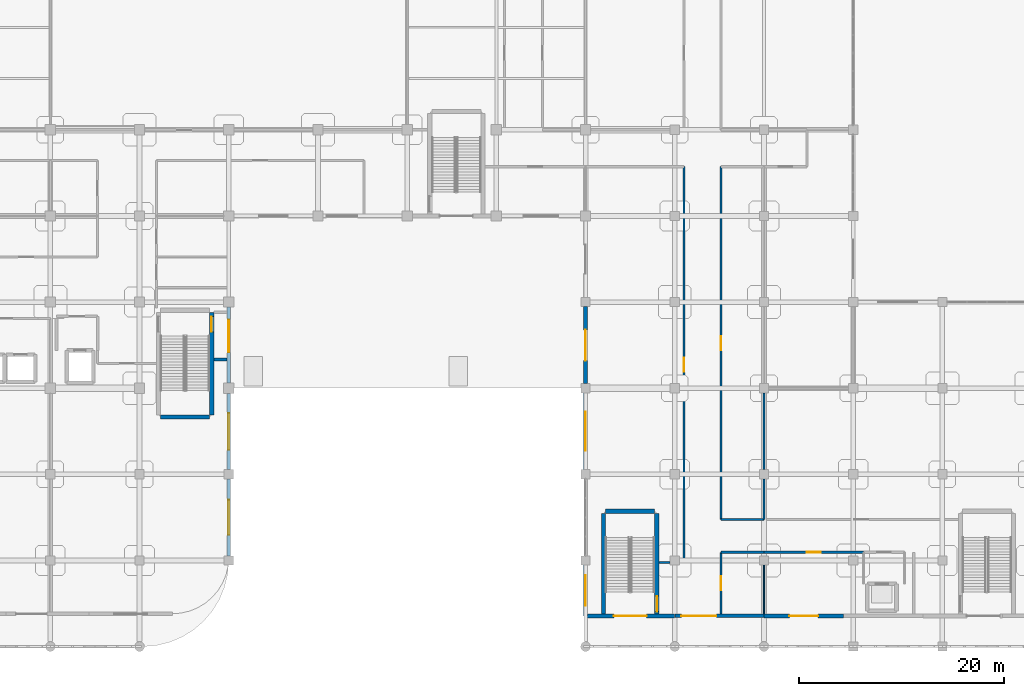
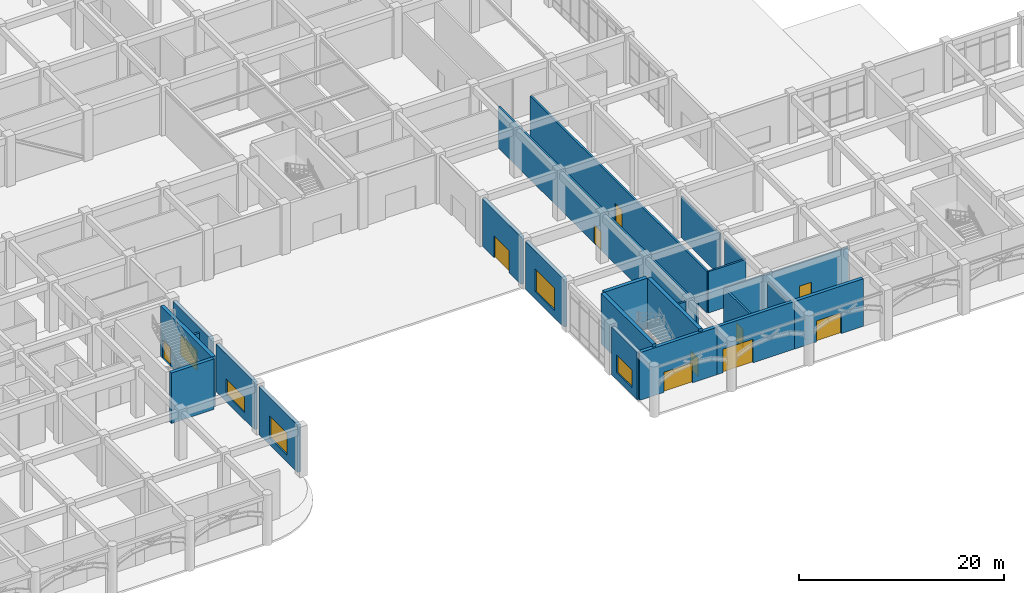
# One storey, part 63 of 82: 25 walls, 11 doors, 4 windows, 15 openings.
"""IFC4 building model written with IfcOpenShell, lengths in metres."""

from ifc_helpers import new_model, si_unit, derived_unit, direction, frame, frame_2d, origin, place, context, subcontext, project, spatial, rectangle, extrude, material, layer, layer_set, type_object, element, fill, save


model = new_model("IFC4")

# Units and contexts
model_context = context("Model", 3, precision=1e-05, world=origin(), true_north=direction((0.0, 1.0)))
body_context = subcontext(model_context, "Body", "Model", "MODEL_VIEW")
ifc_project = project(units=[si_unit("LENGTHUNIT", "METRE"), si_unit("AREAUNIT", "SQUARE_METRE"), si_unit("VOLUMEUNIT", "CUBIC_METRE"), si_unit("PLANEANGLEUNIT", "RADIAN"), si_unit("MASSUNIT", "GRAM", prefix="KILO"), derived_unit("THERMALTRANSMITTANCEUNIT", [(si_unit("MASSUNIT", "GRAM", prefix="KILO"), 1), (si_unit("TIMEUNIT", "SECOND"), -3), (si_unit("THERMODYNAMICTEMPERATUREUNIT", "KELVIN"), -1)])], contexts=[model_context])

# Site, building, storey
site_placement = place(None, origin())
site = spatial("IfcSite", under=ifc_project, at=site_placement, CompositionType="ELEMENT")
building_placement = place(site_placement, origin())
building = spatial("IfcBuilding", under=site, at=building_placement, Name="Qinzheling Arcade Emporium", CompositionType="ELEMENT")
storey_placement = place(building_placement, origin())
storey = spatial("IfcBuildingStorey", under=building, at=storey_placement, Name="L01", CompositionType="ELEMENT", Elevation=0.0)

# Wall
ifc_material_1 = material(Name="Double-stud acoustic gypsum board partition")
ifc_layer_1 = layer(ifc_material_1, 0.215087890625, Name="Double-stud acoustic gypsum board partition")
ifc_layer_set_1 = layer_set([ifc_layer_1], Name="Double-stud acoustic gypsum board partition")
wall_type_1 = type_object("IfcWallType", Name="Acoustic Corridor Partition Wall 215", PredefinedType="PARTITIONING", material=ifc_layer_set_1)
wall_1_placement = place(storey_placement, frame((121.800048828125, 9.199951171875, 0.0), z_axis=(0.0, 0.0, 1.0), x_axis=(-1.0, 0.0, 0.0)))
element("IfcWall", 1, at=wall_1_placement, inside=storey, type_object=wall_type_1, Name="Interior Wall WL-L01-INT-0174", PredefinedType="PARTITIONING", context=body_context, shape_type="SweptSolid", body=[
    extrude(rectangle(XDim=4.199951171875, YDim=0.215087890625, at=frame_2d((2.10009765625, 0.0))), origin(), (0.0, 0.0, 1.0), 4.909912109375),
])

# Wall, opening, door
wall_2_placement = place(storey_placement, frame((117.60009765625, 9.199951171875, 0.0), z_axis=(0.0, 0.0, 1.0), x_axis=(0.0, -1.0, 0.0)))
wall_2 = element("IfcWall", 2, at=wall_2_placement, inside=storey, type_object=wall_type_1, Name="Interior Wall WL-L01-INT-0175", PredefinedType="PARTITIONING", context=body_context, shape_type="SweptSolid", body=[
    extrude(rectangle(XDim=6.014892578125, YDim=0.215087890625, at=frame_2d((3.00732421875, 0.0))), origin(), (0.0, 0.0, 1.0), 4.909912109375),
])
opening_1_placement = place(wall_2_placement, frame((2.33203125, 0.0, 0.0)))
opening_1 = element("IfcOpeningElement", 3, at=opening_1_placement, cuts=wall_2, Name="Opening FD05", PredefinedType="OPENING", context=body_context, shape_type="SweptSolid", body=[
    extrude(rectangle(XDim=1.35009765625, YDim=2.199951171875, at=frame_2d((0.675048828125, 1.10009765625))), frame((0.0, 0.11767578125, 0.0), z_axis=(0.0, -1.0, 0.0), x_axis=(1.0, 0.0, 0.0)), (0.0, 0.0, 1.0), 0.235107421875),
])
ifc_material_2 = material(Name="Class B fire-rated stainless-clad door")
door_type_1 = type_object("IfcDoorType", Name="Kitchen Fire-Rated Service Door 1350x2200", OperationType="NOTDEFINED", PredefinedType="DOOR", material=ifc_material_2)
door_1_placement = place(opening_1_placement, origin())
door_1 = element("IfcDoor", 4, at=door_1_placement, inside=storey, type_object=door_type_1, Name="FD05 Interior Door DR-L01-INT-0055", OperationType="SINGLE_SWING_RIGHT", OverallHeight=2.199951171875, OverallWidth=1.35009765625, PredefinedType="DOOR", context=body_context, shape_type="SweptSolid", body=[
    extrude(rectangle(XDim=1.35009765625, YDim=2.199951171875, at=frame_2d((0.675048828125, 1.10009765625))), frame((0.0, 0.02490234375, 0.0), z_axis=(0.0, -1.0, 0.0), x_axis=(1.0, 0.0, 0.0)), (0.0, 0.0, 1.0), 0.050048828125),
])
fill(opening_1, door_1)

wall_3_placement = place(storey_placement, frame((117.60009765625, 46.800048828125, 0.0), z_axis=(0.0, 0.0, 1.0), x_axis=(0.0, -1.0, 0.0)))
wall_3 = element("IfcWall", 5, at=wall_3_placement, inside=storey, type_object=wall_type_1, Name="Interior Wall WL-L01-INT-0177", PredefinedType="PARTITIONING", context=body_context, shape_type="SweptSolid", body=[
    extrude(rectangle(XDim=34.400146484375, YDim=0.215087890625, at=frame_2d((17.2001953125, 0.0))), origin(), (0.0, 0.0, 1.0), 4.909912109375),
])
opening_2_placement = place(wall_3_placement, frame((16.52490234375, 0.0, 0.0)))
opening_2 = element("IfcOpeningElement", 6, at=opening_2_placement, cuts=wall_3, Name="Opening FD05", PredefinedType="OPENING", context=body_context, shape_type="SweptSolid", body=[
    extrude(rectangle(XDim=1.35009765625, YDim=2.199951171875, at=frame_2d((0.675048828125, 1.10009765625))), frame((0.0, 0.11767578125, 0.0), z_axis=(0.0, -1.0, 0.0), x_axis=(1.0, 0.0, 0.0)), (0.0, 0.0, 1.0), 0.235107421875),
])
door_2_placement = place(opening_2_placement, origin())
door_2 = element("IfcDoor", 7, at=door_2_placement, inside=storey, type_object=door_type_1, Name="FD05 Interior Door DR-L01-INT-0056", OperationType="SINGLE_SWING_LEFT", OverallHeight=2.199951171875, OverallWidth=1.35009765625, PredefinedType="DOOR", context=body_context, shape_type="SweptSolid", body=[
    extrude(rectangle(XDim=1.35009765625, YDim=2.199951171875, at=frame_2d((0.675048828125, 1.10009765625))), frame((0.0, 0.02490234375, 0.0), z_axis=(0.0, -1.0, 0.0), x_axis=(1.0, 0.0, 0.0)), (0.0, 0.0, 1.0), 0.050048828125),
])
fill(opening_2, door_2)

# Walls
wall_4_placement = place(storey_placement, frame((117.60009765625, 12.39990234375, 0.0), z_axis=(0.0, 0.0, 1.0), x_axis=(1.0, 0.0, 0.0)))
element("IfcWall", 8, at=wall_4_placement, inside=storey, type_object=wall_type_1, Name="Interior Wall WL-L01-INT-0178", PredefinedType="PARTITIONING", context=body_context, shape_type="SweptSolid", body=[
    extrude(rectangle(XDim=4.199951171875, YDim=0.215087890625, at=frame_2d((2.10009765625, 0.0))), origin(), (0.0, 0.0, 1.0), 4.909912109375),
])
wall_5_placement = place(storey_placement, frame((111.550048828125, 8.199951171875, 0.0), z_axis=(0.0, 0.0, 1.0), x_axis=(1.0, 0.0, 0.0)))
element("IfcWall", 9, at=wall_5_placement, inside=storey, type_object=wall_type_1, Name="Interior Wall WL-L01-INT-0179", PredefinedType="PARTITIONING", context=body_context, shape_type="SweptSolid", body=[
    extrude(rectangle(XDim=1.08984375, YDim=0.215087890625, at=frame_2d((0.544921875, 0.0))), origin(), (0.0, 0.0, 1.0), 5.659912109375),
])

# Wall, opening, door
wall_6_placement = place(storey_placement, frame((114.0, 8.199951171875, 0.0), z_axis=(0.0, 0.0, 1.0), x_axis=(0.0, 1.0, 0.0)))
wall_6 = element("IfcWall", 10, at=wall_6_placement, inside=storey, type_object=wall_type_1, Name="Interior Wall WL-L01-INT-0180", PredefinedType="PARTITIONING", context=body_context, shape_type="SweptSolid", body=[
    extrude(rectangle(XDim=38.60009765625, YDim=0.215087890625, at=frame_2d((19.300048828125, 0.0))), origin(), (0.0, 0.0, 1.0), 4.909912109375),
])
opening_3_placement = place(wall_6_placement, frame((18.625, 0.0, 0.0)))
opening_3 = element("IfcOpeningElement", 11, at=opening_3_placement, cuts=wall_6, Name="Opening FD05", PredefinedType="OPENING", context=body_context, shape_type="SweptSolid", body=[
    extrude(rectangle(XDim=1.35009765625, YDim=2.199951171875, at=frame_2d((0.675048828125, 1.10009765625))), frame((0.0, 0.11767578125, 0.0), z_axis=(0.0, -1.0, 0.0), x_axis=(1.0, 0.0, 0.0)), (0.0, 0.0, 1.0), 0.235107421875),
])
door_3_placement = place(opening_3_placement, origin())
door_3 = element("IfcDoor", 12, at=door_3_placement, inside=storey, type_object=door_type_1, Name="FD05 Interior Door DR-L01-INT-0057", OperationType="SINGLE_SWING_RIGHT", OverallHeight=2.199951171875, OverallWidth=1.35009765625, PredefinedType="DOOR", context=body_context, shape_type="SweptSolid", body=[
    extrude(rectangle(XDim=1.35009765625, YDim=2.199951171875, at=frame_2d((0.675048828125, 1.10009765625))), frame((0.0, 0.02490234375, 0.0), z_axis=(0.0, -1.0, 0.0), x_axis=(1.0, 0.0, 0.0)), (0.0, 0.0, 1.0), 0.050048828125),
])
fill(opening_3, door_3)

wall_7_placement = place(storey_placement, frame((131.5, 9.199951171875, 0.0), z_axis=(0.0, 0.0, 1.0), x_axis=(-1.0, 0.0, 0.0)))
wall_7 = element("IfcWall", 13, at=wall_7_placement, inside=storey, type_object=wall_type_1, Name="Interior Wall WL-L01-INT-0195", PredefinedType="PARTITIONING", context=body_context, shape_type="SweptSolid", body=[
    extrude(rectangle(XDim=9.699951171875, YDim=0.215087890625, at=frame_2d((4.85009765625, 0.0))), origin(), (0.0, 0.0, 1.0), 4.89501953125),
])
opening_4_placement = place(wall_7_placement, frame((4.175048828125, 0.0, 0.0)))
opening_4 = element("IfcOpeningElement", 14, at=opening_4_placement, cuts=wall_7, Name="Opening FD05", PredefinedType="OPENING", context=body_context, shape_type="SweptSolid", body=[
    extrude(rectangle(XDim=1.35009765625, YDim=2.199951171875, at=frame_2d((0.675048828125, 1.10009765625))), frame((0.0, 0.11767578125, 0.0), z_axis=(0.0, -1.0, 0.0), x_axis=(1.0, 0.0, 0.0)), (0.0, 0.0, 1.0), 0.235107421875),
])
door_4_placement = place(opening_4_placement, origin())
door_4 = element("IfcDoor", 15, at=door_4_placement, inside=storey, type_object=door_type_1, Name="FD05 Interior Door DR-L01-INT-0062", OperationType="SINGLE_SWING_LEFT", OverallHeight=2.199951171875, OverallWidth=1.35009765625, PredefinedType="DOOR", context=body_context, shape_type="SweptSolid", body=[
    extrude(rectangle(XDim=1.35009765625, YDim=2.199951171875, at=frame_2d((0.675048828125, 1.10009765625))), frame((0.0, 0.02490234375, 0.0), z_axis=(0.0, -1.0, 0.0), x_axis=(1.0, 0.0, 0.0)), (0.0, 0.0, 1.0), 0.050048828125),
])
fill(opening_4, door_4)

# Wall
ifc_material_3 = material(Name="Fire-rated double-stud gypsum and mineral wool wall")
ifc_layer_2 = layer(ifc_material_3, 0.2451171875, Name="Fire-rated double-stud gypsum and mineral wool wall")
ifc_layer_set_2 = layer_set([ifc_layer_2], Name="Fire-rated double-stud gypsum and mineral wool wall")
wall_type_2 = type_object("IfcWallType", Name="Firefighting Lobby Rated Wall 245", PredefinedType="STANDARD", material=ifc_layer_set_2)
wall_8_placement = place(storey_placement, frame((69.405029296875, 28.0, 0.0), z_axis=(0.0, 0.0, 1.0), x_axis=(-1.0, 0.0, 0.0)))
element("IfcWall", 16, at=wall_8_placement, inside=storey, type_object=wall_type_2, Name="Interior Wall WL-L01-INT-0108", PredefinedType="STANDARD", context=body_context, shape_type="SweptSolid", body=[
    extrude(rectangle(XDim=1.260009765625, YDim=0.2451171875, at=frame_2d((0.6298828125, 0.0))), origin(), (0.0, 0.0, 1.0), 5.06005859375),
])

# Wall, opening, door
ifc_material_4 = material(Name="Glazed cream terracotta on Concrete C40", Category="masonry")
ifc_layer_3 = layer(ifc_material_4, 0.3798828125, Name="Glazed cream terracotta on Concrete C40", Category="masonry")
ifc_layer_set_3 = layer_set([ifc_layer_3], Name="Glazed cream terracotta on Concrete C40")
wall_type_3 = type_object("IfcWallType", Name="Glazed Cream Terracotta Structural Wall 380", PredefinedType="STANDARD", material=ifc_layer_set_3)
wall_9_placement = place(storey_placement, frame((129.548095703125, 3.0, 0.0), z_axis=(0.0, 0.0, 1.0), x_axis=(-1.0, 0.0, 0.0)))
wall_9 = element("IfcWall", 17, at=wall_9_placement, inside=storey, type_object=wall_type_3, Name="Exterior Wall WL-L01-EW-0014", PredefinedType="STANDARD", context=body_context, shape_type="SweptSolid", body=[
    extrude(rectangle(XDim=7.748046875, YDim=0.3798828125, at=frame_2d((3.8740234375, 0.0))), origin(), (0.0, 0.0, 1.0), 5.659912109375),
])
opening_5_placement = place(wall_9_placement, frame((2.47412109375, 0.0, 0.0)))
opening_5 = element("IfcOpeningElement", 18, at=opening_5_placement, cuts=wall_9, Name="Opening E04", PredefinedType="OPENING", context=body_context, shape_type="SweptSolid", body=[
    extrude(rectangle(XDim=2.800048828125, YDim=2.5, at=frame_2d((1.39990234375, 1.25))), frame((0.0, 0.199951171875, 0.0), z_axis=(0.0, -1.0, 0.0), x_axis=(1.0, 0.0, 0.0)), (0.0, 0.0, 1.0), 0.39990234375),
])
ifc_material_5 = material(Name="Anodised aluminium and tempered glass", Category="aluminium")
door_type_2 = type_object("IfcDoorType", Name="Food Hall Court Entrance Door 2800x2500", OperationType="DOUBLE_DOOR_SINGLE_SWING", PredefinedType="DOOR", material=ifc_material_5)
door_5_placement = place(opening_5_placement, origin())
door_5 = element("IfcDoor", 19, at=door_5_placement, inside=storey, type_object=door_type_2, Name="E04 Exterior Door DR-L01-EXT-004", OperationType="DOUBLE_DOOR_SINGLE_SWING", OverallHeight=2.5, OverallWidth=2.800048828125, PredefinedType="DOOR", context=body_context, shape_type="SweptSolid", body=[
    extrude(rectangle(XDim=2.800048828125, YDim=2.5, at=frame_2d((1.39990234375, 1.25))), frame((0.0, 0.02490234375, 0.0), z_axis=(0.0, -1.0, 0.0), x_axis=(1.0, 0.0, 0.0)), (0.0, 0.0, 1.0), 0.050048828125),
])
fill(opening_5, door_5)

wall_10_placement = place(storey_placement, frame((113.097900390625, 3.0, 0.0), z_axis=(0.0, 0.0, 1.0), x_axis=(-1.0, 0.0, 0.0)))
wall_10 = element("IfcWall", 20, at=wall_10_placement, inside=storey, type_object=wall_type_3, Name="Exterior Wall WL-L01-EW-0016", PredefinedType="STANDARD", context=body_context, shape_type="SweptSolid", body=[
    extrude(rectangle(XDim=8.697998046875, YDim=0.3798828125, at=frame_2d((4.34912109375, 0.0))), origin(), (0.0, 0.0, 1.0), 5.659912109375),
])
opening_6_placement = place(wall_10_placement, frame((2.748046875, 0.0, 0.0)))
opening_6 = element("IfcOpeningElement", 21, at=opening_6_placement, cuts=wall_10, Name="Opening ED01", PredefinedType="OPENING", context=body_context, shape_type="SweptSolid", body=[
    extrude(rectangle(XDim=3.199951171875, YDim=2.39990234375, at=frame_2d((1.60009765625, 1.199951171875))), frame((0.0, 0.199951171875, 0.0), z_axis=(0.0, -1.0, 0.0), x_axis=(1.0, 0.0, 0.0)), (0.0, 0.0, 1.0), 0.39990234375),
])
ifc_material_6 = material(Name="Fire-rated steel panic exit door", Category="steel")
door_type_3 = type_object("IfcDoorType", Name="Stairwell Street Final Exit Door 3200x2400", OperationType="DOUBLE_DOOR_SINGLE_SWING", PredefinedType="USERDEFINED", material=ifc_material_6)
door_6_placement = place(opening_6_placement, origin())
door_6 = element("IfcDoor", 22, at=door_6_placement, inside=storey, type_object=door_type_3, Name="ED01 Exterior Door DR-L01-EXT-006", ObjectType="ESCAPE_DOOR", OperationType="DOUBLE_DOOR_SINGLE_SWING", OverallHeight=2.39990234375, OverallWidth=3.199951171875, PredefinedType="USERDEFINED", context=body_context, shape_type="SweptSolid", body=[
    extrude(rectangle(XDim=3.199951171875, YDim=2.39990234375, at=frame_2d((1.60009765625, 1.199951171875))), frame((0.0, 0.02490234375, 0.0), z_axis=(0.0, -1.0, 0.0), x_axis=(1.0, 0.0, 0.0)), (0.0, 0.0, 1.0), 0.050048828125),
])
fill(opening_6, door_6)

# Wall, opening, window
wall_11_placement = place(storey_placement, frame((104.39990234375, 17.251953125, 0.0), z_axis=(0.0, 0.0, 1.0), x_axis=(0.0, 1.0, 0.0)))
wall_11 = element("IfcWall", 23, at=wall_11_placement, inside=storey, type_object=wall_type_3, Name="Exterior Wall WL-L01-EW-0018", PredefinedType="STANDARD", context=body_context, shape_type="SweptSolid", body=[
    extrude(rectangle(XDim=7.49609375, YDim=0.3798828125, at=frame_2d((3.748046875, 0.0))), origin(), (0.0, 0.0, 1.0), 5.659912109375),
])
opening_7_placement = place(wall_11_placement, frame((1.847900390625, 0.0, 0.85009765625)))
opening_7 = element("IfcOpeningElement", 24, at=opening_7_placement, cuts=wall_11, Name="Opening WN19", PredefinedType="OPENING", context=body_context, shape_type="SweptSolid", body=[
    extrude(rectangle(XDim=3.800048828125, YDim=2.699951171875, at=frame_2d((1.89990234375, 1.35009765625))), frame((0.0, 0.199951171875, 0.0), z_axis=(0.0, -1.0, 0.0), x_axis=(1.0, 0.0, 0.0)), (0.0, 0.0, 1.0), 0.39990234375),
])
ifc_material_7 = material(Name="Thermally broken aluminium frame with solar-control double glazing", Category="aluminium")
window_type_1 = type_object("IfcWindowType", Name="Chicago Tripartite Window 3800x2700", PartitioningType="TRIPLE_PANEL_VERTICAL", PredefinedType="WINDOW", material=ifc_material_7)
window_1_placement = place(opening_7_placement, origin())
window_1 = element("IfcWindow", 25, at=window_1_placement, inside=storey, type_object=window_type_1, Name="WN19 Window WN-L01-0002", OverallHeight=2.699951171875, OverallWidth=3.800048828125, PartitioningType="TRIPLE_PANEL_VERTICAL", PredefinedType="WINDOW", context=body_context, shape_type="SweptSolid", body=[
    extrude(rectangle(XDim=3.800048828125, YDim=2.699951171875, at=frame_2d((1.89990234375, 1.35009765625))), frame((0.0, 0.030029296875, 0.0), z_axis=(0.0, -1.0, 0.0), x_axis=(1.0, 0.0, 0.0)), (0.0, 0.0, 1.0), 0.06005859375),
])
fill(opening_7, window_1)

# Wall, opening, door
wall_12_placement = place(storey_placement, frame((69.60009765625, 33.097900390625, 0.0), z_axis=(0.0, 0.0, 1.0), x_axis=(0.0, -1.0, 0.0)))
wall_12 = element("IfcWall", 26, at=wall_12_placement, inside=storey, type_object=wall_type_3, Name="Exterior Wall WL-L01-EW-0026", PredefinedType="STANDARD", context=body_context, shape_type="SweptSolid", body=[
    extrude(rectangle(XDim=7.39599609375, YDim=0.3798828125, at=frame_2d((3.697998046875, 0.0))), origin(), (0.0, 0.0, 1.0), 5.659912109375),
])
opening_8_placement = place(wall_12_placement, frame((1.197998046875, 0.0, 0.0)))
opening_8 = element("IfcOpeningElement", 27, at=opening_8_placement, cuts=wall_12, Name="Opening ED01", PredefinedType="OPENING", context=body_context, shape_type="SweptSolid", body=[
    extrude(rectangle(XDim=3.199951171875, YDim=2.39990234375, at=frame_2d((1.60009765625, 1.199951171875))), frame((0.0, 0.199951171875, 0.0), z_axis=(0.0, -1.0, 0.0), x_axis=(1.0, 0.0, 0.0)), (0.0, 0.0, 1.0), 0.39990234375),
])
door_7_placement = place(opening_8_placement, origin())
door_7 = element("IfcDoor", 28, at=door_7_placement, inside=storey, type_object=door_type_3, Name="ED01 Exterior Door DR-L01-EXT-013", ObjectType="ESCAPE_DOOR", OperationType="DOUBLE_DOOR_SINGLE_SWING", OverallHeight=2.39990234375, OverallWidth=3.199951171875, PredefinedType="USERDEFINED", context=body_context, shape_type="SweptSolid", body=[
    extrude(rectangle(XDim=3.199951171875, YDim=2.39990234375, at=frame_2d((1.60009765625, 1.199951171875))), frame((0.0, 0.02490234375, 0.0), z_axis=(0.0, -1.0, 0.0), x_axis=(1.0, 0.0, 0.0)), (0.0, 0.0, 1.0), 0.050048828125),
])
fill(opening_8, door_7)

# Wall, opening, window
wall_13_placement = place(storey_placement, frame((69.60009765625, 16.347900390625, 0.0), z_axis=(0.0, 0.0, 1.0), x_axis=(0.0, -1.0, 0.0)))
wall_13 = element("IfcWall", 29, at=wall_13_placement, inside=storey, type_object=wall_type_3, Name="Exterior Wall WL-L01-EW-0028", PredefinedType="STANDARD", context=body_context, shape_type="SweptSolid", body=[
    extrude(rectangle(XDim=7.495849609375, YDim=0.3798828125, at=frame_2d((3.748046875, 0.0))), origin(), (0.0, 0.0, 1.0), 5.659912109375),
])
opening_9_placement = place(wall_13_placement, frame((2.048095703125, 0.0, 0.85009765625)))
opening_9 = element("IfcOpeningElement", 30, at=opening_9_placement, cuts=wall_13, Name="Opening WN29", PredefinedType="OPENING", context=body_context, shape_type="SweptSolid", body=[
    extrude(rectangle(XDim=3.39990234375, YDim=2.60009765625, at=frame_2d((1.699951171875, 1.300048828125))), frame((0.0, 0.199951171875, 0.0), z_axis=(0.0, -1.0, 0.0), x_axis=(1.0, 0.0, 0.0)), (0.0, 0.0, 1.0), 0.39990234375),
])
window_type_2 = type_object("IfcWindowType", Name="Chicago Tripartite Window 3400x2600", PartitioningType="TRIPLE_PANEL_VERTICAL", PredefinedType="WINDOW", material=ifc_material_7)
window_2_placement = place(opening_9_placement, origin())
window_2 = element("IfcWindow", 31, at=window_2_placement, inside=storey, type_object=window_type_2, Name="WN29 Window WN-L01-0004", OverallHeight=2.60009765625, OverallWidth=3.39990234375, PartitioningType="TRIPLE_PANEL_VERTICAL", PredefinedType="WINDOW", context=body_context, shape_type="SweptSolid", body=[
    extrude(rectangle(XDim=3.39990234375, YDim=2.60009765625, at=frame_2d((1.699951171875, 1.300048828125))), frame((0.0, 0.030029296875, 0.0), z_axis=(0.0, -1.0, 0.0), x_axis=(1.0, 0.0, 0.0)), (0.0, 0.0, 1.0), 0.06005859375),
])
fill(opening_9, window_2)

# Wall, opening, door
ifc_layer_4 = layer(ifc_material_4, 0.360107421875, Name="Glazed cream terracotta on Concrete C40", Category="masonry")
ifc_layer_set_4 = layer_set([ifc_layer_4], Name="Glazed cream terracotta on Concrete C40")
wall_type_4 = type_object("IfcWallType", Name="Glazed Terracotta Pier Wall 360", PredefinedType="STANDARD", material=ifc_layer_set_4)
wall_14_placement = place(storey_placement, frame((121.800048828125, 3.0, 0.0), z_axis=(0.0, 0.0, 1.0), x_axis=(-1.0, 0.0, 0.0)))
wall_14 = element("IfcWall", 32, at=wall_14_placement, inside=storey, type_object=wall_type_4, Name="Exterior Wall WL-L01-EW-0015", PredefinedType="STANDARD", context=body_context, shape_type="SweptSolid", body=[
    extrude(rectangle(XDim=8.697998046875, YDim=0.360107421875, at=frame_2d((4.34912109375, 0.0))), origin(), (0.0, 0.0, 1.0), 5.659912109375),
])
opening_10_placement = place(wall_14_placement, frame((4.64892578125, 0.0, 0.0)))
opening_10 = element("IfcOpeningElement", 33, at=opening_10_placement, cuts=wall_14, Name="Opening E01", PredefinedType="OPENING", context=body_context, shape_type="SweptSolid", body=[
    extrude(rectangle(XDim=3.39990234375, YDim=2.800048828125, at=frame_2d((1.699951171875, 1.39990234375))), frame((0.0, 0.18994140625, 0.0), z_axis=(0.0, -1.0, 0.0), x_axis=(1.0, 0.0, 0.0)), (0.0, 0.0, 1.0), 0.380126953125),
])
ifc_material_8 = material(Name="Cast bronze and laminated glass", Category="glass")
door_type_4 = type_object("IfcDoorType", Name="Cast-Bronze Arcade Double Entrance Door 3400x2800", OperationType="DOUBLE_DOOR_SINGLE_SWING", PredefinedType="DOOR", material=ifc_material_8)
door_8_placement = place(opening_10_placement, origin())
door_8 = element("IfcDoor", 34, at=door_8_placement, inside=storey, type_object=door_type_4, Name="E01 Exterior Door DR-L01-EXT-005", OperationType="DOUBLE_DOOR_SINGLE_SWING", OverallHeight=2.800048828125, OverallWidth=3.39990234375, PredefinedType="DOOR", context=body_context, shape_type="SweptSolid", body=[
    extrude(rectangle(XDim=3.39990234375, YDim=2.800048828125, at=frame_2d((1.699951171875, 1.39990234375))), frame((0.0, 0.02490234375, 0.0), z_axis=(0.0, -1.0, 0.0), x_axis=(1.0, 0.0, 0.0)), (0.0, 0.0, 1.0), 0.050048828125),
])
fill(opening_10, door_8)

# Wall, opening, window
wall_15_placement = place(storey_placement, frame((104.39990234375, 3.0, 0.0), z_axis=(0.0, 0.0, 1.0), x_axis=(0.0, 1.0, 0.0)))
wall_15 = element("IfcWall", 35, at=wall_15_placement, inside=storey, type_object=wall_type_4, Name="Exterior Wall WL-L01-EW-0017", PredefinedType="STANDARD", context=body_context, shape_type="SweptSolid", body=[
    extrude(rectangle(XDim=4.947998046875, YDim=0.360107421875, at=frame_2d((2.47412109375, 0.0))), origin(), (0.0, 0.0, 1.0), 5.659912109375),
])
opening_11_placement = place(wall_15_placement, frame((0.97412109375, 0.0, 0.85009765625)))
opening_11 = element("IfcOpeningElement", 36, at=opening_11_placement, cuts=wall_15, Name="Opening WN41", PredefinedType="OPENING", context=body_context, shape_type="SweptSolid", body=[
    extrude(rectangle(XDim=3.0, YDim=2.10009765625, at=frame_2d((1.5, 1.050048828125))), frame((0.0, 0.18994140625, 0.0), z_axis=(0.0, -1.0, 0.0), x_axis=(1.0, 0.0, 0.0)), (0.0, 0.0, 1.0), 0.380126953125),
])
window_type_3 = type_object("IfcWindowType", Name="Chicago Tripartite Window 3000x2100", PartitioningType="TRIPLE_PANEL_VERTICAL", PredefinedType="WINDOW", material=ifc_material_7)
window_3_placement = place(opening_11_placement, origin())
window_3 = element("IfcWindow", 37, at=window_3_placement, inside=storey, type_object=window_type_3, Name="WN41 Window WN-L01-0001", OverallHeight=2.10009765625, OverallWidth=3.0, PartitioningType="TRIPLE_PANEL_VERTICAL", PredefinedType="WINDOW", context=body_context, shape_type="SweptSolid", body=[
    extrude(rectangle(XDim=3.0, YDim=2.10009765625, at=frame_2d((1.5, 1.050048828125))), frame((0.0, 0.030029296875, 0.0), z_axis=(0.0, -1.0, 0.0), x_axis=(1.0, 0.0, 0.0)), (0.0, 0.0, 1.0), 0.06005859375),
])
fill(opening_11, window_3)

# Wall, opening, door
wall_16_placement = place(storey_placement, frame((104.39990234375, 25.652099609375, 0.0), z_axis=(0.0, 0.0, 1.0), x_axis=(0.0, 1.0, 0.0)))
wall_16 = element("IfcWall", 38, at=wall_16_placement, inside=storey, type_object=wall_type_4, Name="Exterior Wall WL-L01-EW-0019", PredefinedType="STANDARD", context=body_context, shape_type="SweptSolid", body=[
    extrude(rectangle(XDim=7.495849609375, YDim=0.360107421875, at=frame_2d((3.748046875, 0.0))), origin(), (0.0, 0.0, 1.0), 5.659912109375),
])
opening_12_placement = place(wall_16_placement, frame((2.248046875, 0.0, 0.0)))
opening_12 = element("IfcOpeningElement", 39, at=opening_12_placement, cuts=wall_16, Name="Opening E03", PredefinedType="OPENING", context=body_context, shape_type="SweptSolid", body=[
    extrude(rectangle(XDim=3.0, YDim=2.60009765625, at=frame_2d((1.5, 1.300048828125))), frame((0.0, 0.18994140625, 0.0), z_axis=(0.0, -1.0, 0.0), x_axis=(1.0, 0.0, 0.0)), (0.0, 0.0, 1.0), 0.380126953125),
])
door_type_5 = type_object("IfcDoorType", Name="Boulevard Retail Entrance Door 3000x2600", OperationType="DOUBLE_DOOR_SINGLE_SWING", PredefinedType="DOOR", material=ifc_material_5)
door_9_placement = place(opening_12_placement, origin())
door_9 = element("IfcDoor", 40, at=door_9_placement, inside=storey, type_object=door_type_5, Name="E03 Exterior Door DR-L01-EXT-007", OperationType="DOUBLE_DOOR_SINGLE_SWING", OverallHeight=2.60009765625, OverallWidth=3.0, PredefinedType="DOOR", context=body_context, shape_type="SweptSolid", body=[
    extrude(rectangle(XDim=3.0, YDim=2.60009765625, at=frame_2d((1.5, 1.300048828125))), frame((0.0, 0.02490234375, 0.0), z_axis=(0.0, -1.0, 0.0), x_axis=(1.0, 0.0, 0.0)), (0.0, 0.0, 1.0), 0.050048828125),
])
fill(opening_12, door_9)

# Wall, opening, window
wall_17_placement = place(storey_placement, frame((69.60009765625, 24.697998046875, 0.0), z_axis=(0.0, 0.0, 1.0), x_axis=(0.0, -1.0, 0.0)))
wall_17 = element("IfcWall", 41, at=wall_17_placement, inside=storey, type_object=wall_type_4, Name="Exterior Wall WL-L01-EW-0027", PredefinedType="STANDARD", context=body_context, shape_type="SweptSolid", body=[
    extrude(rectangle(XDim=7.446044921875, YDim=0.360107421875, at=frame_2d((3.72314453125, 0.0))), origin(), (0.0, 0.0, 1.0), 5.659912109375),
])
opening_13_placement = place(wall_17_placement, frame((1.923095703125, 0.0, 0.85009765625)))
opening_13 = element("IfcOpeningElement", 42, at=opening_13_placement, cuts=wall_17, Name="Opening WN28", PredefinedType="OPENING", context=body_context, shape_type="SweptSolid", body=[
    extrude(rectangle(XDim=3.60009765625, YDim=1.85009765625, at=frame_2d((1.800048828125, 0.925048828125))), frame((0.0, 0.18994140625, 0.0), z_axis=(0.0, -1.0, 0.0), x_axis=(1.0, 0.0, 0.0)), (0.0, 0.0, 1.0), 0.380126953125),
])
window_type_4 = type_object("IfcWindowType", Name="Chicago Tripartite Window 3600x1850", PartitioningType="TRIPLE_PANEL_VERTICAL", PredefinedType="WINDOW", material=ifc_material_7)
window_4_placement = place(opening_13_placement, origin())
window_4 = element("IfcWindow", 43, at=window_4_placement, inside=storey, type_object=window_type_4, Name="WN28 Window WN-L01-0003", OverallHeight=1.85009765625, OverallWidth=3.60009765625, PartitioningType="TRIPLE_PANEL_VERTICAL", PredefinedType="WINDOW", context=body_context, shape_type="SweptSolid", body=[
    extrude(rectangle(XDim=3.60009765625, YDim=1.85009765625, at=frame_2d((1.800048828125, 0.925048828125))), frame((0.0, 0.030029296875, 0.0), z_axis=(0.0, -1.0, 0.0), x_axis=(1.0, 0.0, 0.0)), (0.0, 0.0, 1.0), 0.06005859375),
])
fill(opening_13, window_4)

# Wall
ifc_material_9 = material(Name="Lightweight gypsum studio partition")
ifc_layer_5 = layer(ifc_material_9, 0.125, Name="Lightweight gypsum studio partition")
ifc_layer_set_5 = layer_set([ifc_layer_5], Name="Lightweight gypsum studio partition")
wall_type_5 = type_object("IfcWallType", Name="Merchandising Studio Partition Wall 125", PredefinedType="PARTITIONING", material=ifc_layer_set_5)
wall_18_placement = place(storey_placement, frame((121.800048828125, 7.93994140625, 0.0), z_axis=(0.0, 0.0, 1.0), x_axis=(0.0, -1.0, 0.0)))
element("IfcWall", 44, at=wall_18_placement, inside=storey, type_object=wall_type_5, Name="Interior Wall WL-L01-INT-0242", PredefinedType="PARTITIONING", context=body_context, shape_type="SweptSolid", body=[
    extrude(rectangle(XDim=4.744873046875, YDim=0.125, at=frame_2d((2.37255859375, 0.0))), origin(), (0.0, 0.0, 1.0), 4.909912109375),
])

# Wall, opening, door
ifc_material_10 = material(Name="Concrete C50", Category="concrete")
ifc_layer_6 = layer(ifc_material_10, 0.39990234375, Name="Concrete C50", Category="concrete")
ifc_layer_set_6 = layer_set([ifc_layer_6], Name="Concrete C50")
wall_type_6 = type_object("IfcWallType", Name="RC Stair Core Shear Wall 400 C50", PredefinedType="SHEAR", material=ifc_layer_set_6)
wall_19_placement = place(storey_placement, frame((67.93994140625, 32.60009765625, 0.0), z_axis=(0.0, 0.0, 1.0), x_axis=(0.0, -1.0, 0.0)))
wall_19 = element("IfcWall", 45, at=wall_19_placement, inside=storey, type_object=wall_type_6, Name="Stair Core Wall WL-L01-ST01-EAST", PredefinedType="SHEAR", context=body_context, shape_type="SweptSolid", body=[
    extrude(rectangle(XDim=10.0, YDim=0.39990234375, at=frame_2d((5.0, 0.0))), origin(), (0.0, 0.0, 1.0), 6.0),
])
opening_14_placement = place(wall_19_placement, frame((0.409912109375, 0.0, 0.0)))
opening_14 = element("IfcOpeningElement", 46, at=opening_14_placement, cuts=wall_19, Name="Opening FD01", PredefinedType="OPENING", context=body_context, shape_type="SweptSolid", body=[
    extrude(rectangle(XDim=1.5, YDim=2.199951171875, at=frame_2d((0.75, 1.10009765625))), frame((0.0, 0.2099609375, 0.0), z_axis=(0.0, -1.0, 0.0), x_axis=(1.0, 0.0, 0.0)), (0.0, 0.0, 1.0), 0.419921875),
])
ifc_material_11 = material(Name="Class A fire-rated steel double door", Category="steel")
door_type_6 = type_object("IfcDoorType", Name="Stairwell Smoke-Proof Fire Door 1500x2200", OperationType="DOUBLE_DOOR_SINGLE_SWING", PredefinedType="DOOR", material=ifc_material_11)
door_10_placement = place(opening_14_placement, origin())
door_10 = element("IfcDoor", 47, at=door_10_placement, inside=storey, type_object=door_type_6, Name="FD01 Exit Passage Door DR-L01-ST01-EP01", OperationType="DOUBLE_DOOR_SINGLE_SWING", OverallHeight=2.199951171875, OverallWidth=1.5, PredefinedType="DOOR", context=body_context, shape_type="SweptSolid", body=[
    extrude(rectangle(XDim=1.5, YDim=2.199951171875, at=frame_2d((0.75, 1.10009765625))), frame((0.0, 0.02490234375, 0.0), z_axis=(0.0, -1.0, 0.0), x_axis=(1.0, 0.0, 0.0)), (0.0, 0.0, 1.0), 0.050048828125),
])
fill(opening_14, door_10)

# Walls
wall_20_placement = place(storey_placement, frame((67.739990234375, 22.39990234375, 0.0), z_axis=(0.0, 0.0, 1.0), x_axis=(-1.0, 0.0, 0.0)))
element("IfcWall", 48, at=wall_20_placement, inside=storey, type_object=wall_type_6, Name="Stair Core Wall WL-L01-ST01-SOUTH", PredefinedType="SHEAR", context=body_context, shape_type="SweptSolid", body=[
    extrude(rectangle(XDim=4.7900390625, YDim=0.39990234375, at=frame_2d((2.39501953125, 0.0))), origin(), (0.0, 0.0, 1.0), 6.0),
])
wall_21_placement = place(storey_placement, frame((106.155029296875, 3.0, 0.0), z_axis=(0.0, 0.0, 1.0), x_axis=(0.0, 1.0, 0.0)))
element("IfcWall", 49, at=wall_21_placement, inside=storey, type_object=wall_type_6, Name="Stair Core Wall WL-L01-ST05-WEST", PredefinedType="SHEAR", context=body_context, shape_type="SweptSolid", body=[
    extrude(rectangle(XDim=10.0, YDim=0.39990234375, at=frame_2d((5.0, 0.0))), origin(), (0.0, 0.0, 1.0), 6.0),
])

# Wall, opening, door
wall_22_placement = place(storey_placement, frame((111.344970703125, 13.0, 0.0), z_axis=(0.0, 0.0, 1.0), x_axis=(0.0, -1.0, 0.0)))
wall_22 = element("IfcWall", 50, at=wall_22_placement, inside=storey, type_object=wall_type_6, Name="Stair Core Wall WL-L01-ST05-EAST", PredefinedType="SHEAR", context=body_context, shape_type="SweptSolid", body=[
    extrude(rectangle(XDim=10.0, YDim=0.39990234375, at=frame_2d((5.0, 0.0))), origin(), (0.0, 0.0, 1.0), 6.0),
])
opening_15_placement = place(wall_22_placement, frame((8.090087890625, 0.0, 0.0)))
opening_15 = element("IfcOpeningElement", 51, at=opening_15_placement, cuts=wall_22, Name="Opening FD01", PredefinedType="OPENING", context=body_context, shape_type="SweptSolid", body=[
    extrude(rectangle(XDim=1.5, YDim=2.199951171875, at=frame_2d((0.75, 1.10009765625))), frame((0.0, 0.2099609375, 0.0), z_axis=(0.0, -1.0, 0.0), x_axis=(1.0, 0.0, 0.0)), (0.0, 0.0, 1.0), 0.419921875),
])
door_11_placement = place(opening_15_placement, origin())
door_11 = element("IfcDoor", 52, at=door_11_placement, inside=storey, type_object=door_type_6, Name="FD01 Stairwell Fire Door DR-L01-ST05-FD", OperationType="DOUBLE_DOOR_SINGLE_SWING", OverallHeight=2.199951171875, OverallWidth=1.5, PredefinedType="DOOR", context=body_context, shape_type="SweptSolid", body=[
    extrude(rectangle(XDim=1.5, YDim=2.199951171875, at=frame_2d((0.75, 1.10009765625))), frame((0.0, 0.02490234375, 0.0), z_axis=(0.0, -1.0, 0.0), x_axis=(1.0, 0.0, 0.0)), (0.0, 0.0, 1.0), 0.050048828125),
])
fill(opening_15, door_11)

# Walls
wall_23_placement = place(storey_placement, frame((106.35498046875, 13.199951171875, 0.0), z_axis=(0.0, 0.0, 1.0), x_axis=(1.0, 0.0, 0.0)))
element("IfcWall", 53, at=wall_23_placement, inside=storey, type_object=wall_type_6, Name="Stair Core Wall WL-L01-ST05-NORTH", PredefinedType="SHEAR", context=body_context, shape_type="SweptSolid", body=[
    extrude(rectangle(XDim=4.7900390625, YDim=0.39990234375, at=frame_2d((2.39501953125, 0.0))), origin(), (0.0, 0.0, 1.0), 6.0),
])
ifc_material_12 = material(Name="Steel-stud showroom partition", Category="steel")
ifc_layer_7 = layer(ifc_material_12, 0.159912109375, Name="Steel-stud showroom partition", Category="steel")
ifc_layer_set_7 = layer_set([ifc_layer_7], Name="Steel-stud showroom partition")
wall_type_7 = type_object("IfcWallType", Name="Showroom Partition Wall 160", PredefinedType="PARTITIONING", material=ifc_layer_set_7)
wall_24_placement = place(storey_placement, frame((121.800048828125, 24.739990234375, 0.0), z_axis=(0.0, 0.0, 1.0), x_axis=(0.0, -1.0, 0.0)))
element("IfcWall", 54, at=wall_24_placement, inside=storey, type_object=wall_type_7, Name="Interior Wall WL-L01-INT-0246", PredefinedType="PARTITIONING", context=body_context, shape_type="SweptSolid", body=[
    extrude(rectangle(XDim=7.47998046875, YDim=0.159912109375, at=frame_2d((3.739990234375, 0.0))), origin(), (0.0, 0.0, 1.0), 4.909912109375),
])
wall_25_placement = place(storey_placement, frame((121.800048828125, 16.340087890625, 0.0), z_axis=(0.0, 0.0, 1.0), x_axis=(0.0, -1.0, 0.0)))
element("IfcWall", 55, at=wall_25_placement, inside=storey, type_object=wall_type_7, Name="Interior Wall WL-L01-INT-0247", PredefinedType="PARTITIONING", context=body_context, shape_type="SweptSolid", body=[
    extrude(rectangle(XDim=3.940185546875, YDim=0.159912109375, at=frame_2d((1.97021484375, 0.0))), origin(), (0.0, 0.0, 1.0), 4.909912109375),
])

save(model, "model.ifc")
